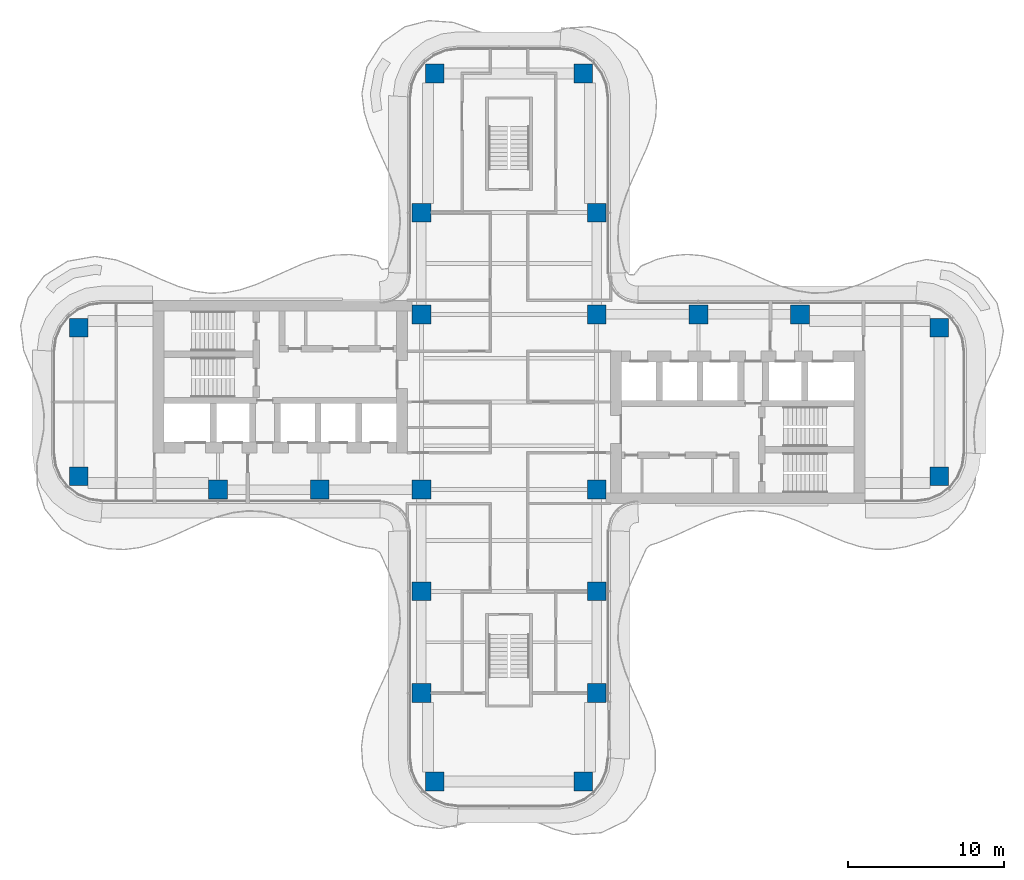
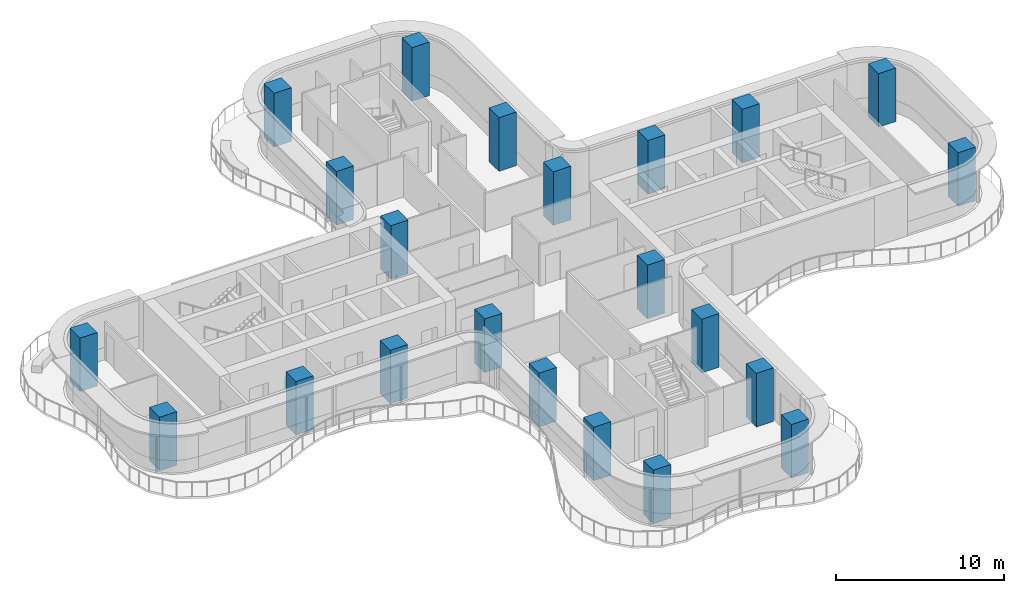
# One storey, part 1 of 18: 22 columns.
"""IFC4 building model written with IfcOpenShell, lengths in metres."""

from ifc_helpers import new_model, si_unit, direction, frame, origin, origin_2d, place, context, subcontext, project, spatial, rectangle, extrude, source, transform, mapped, material, material_profile, profile_set, type_object, element, save


model = new_model("IFC4")

# Units and contexts
model_context = context("Model", 3, precision=1e-05, world=origin(), true_north=direction((0.0, 1.0)))
body_context = subcontext(model_context, "Body", "Model", "MODEL_VIEW")
ifc_project = project(units=[si_unit("LENGTHUNIT", "METRE"), si_unit("AREAUNIT", "SQUARE_METRE"), si_unit("VOLUMEUNIT", "CUBIC_METRE"), si_unit("PLANEANGLEUNIT", "RADIAN"), si_unit("MASSUNIT", "GRAM", prefix="KILO")], contexts=[model_context])

# Site, building, storey
site_placement = place(None, origin())
site = spatial("IfcSite", under=ifc_project, at=site_placement, CompositionType="ELEMENT")
building_placement = place(site_placement, origin())
building = spatial("IfcBuilding", under=site, at=building_placement, Name="Trellis Farm Tower", CompositionType="ELEMENT")
storey_placement = place(building_placement, frame((0.0, 0.0, 204.89990234375)))
storey = spatial("IfcBuildingStorey", under=building, at=storey_placement, Name="L45", CompositionType="ELEMENT", Elevation=204.89990234375)

# Columns
ifc_material = material(Name="Concrete C70/85", Category="concrete")
ifc_material_profile = material_profile(ifc_material, rectangle(XDim=1.199951171875, YDim=1.199951171875, at=origin_2d()), Name="RC column 1200x1200 C70/85")
ifc_profile_set = profile_set([ifc_material_profile], Name="Concrete C70/85")
column_type = type_object("IfcColumnType", Name="RC column 1200x1200 C70/85", PredefinedType="COLUMN", material=ifc_profile_set)
shared_shape = source(origin(), body_context, "Body", "SweptSolid", [
    extrude(rectangle(XDim=1.199951171875, YDim=1.199951171875, at=origin_2d()), origin(), (0.0, 0.0, 1.0), 3.900146484375),
])
for number, where, z_axis, x_axis, name in (
    (1, (12.10009765625, 5.60009765625, 0.0), (0.0, 0.0, 1.0), (1.0, 0.0, 0.0), "Column"),
    (2, (18.60009765625, 5.60009765625, 0.0), (0.0, 0.0, 1.0), (1.0, 0.0, 0.0), "Column"),
    (3, (27.5, 4.75, 0.0), (0.0, 0.0, 1.0), (1.0, 0.0, 0.0), "Column"),
    (4, (27.5, -4.75, 0.0), (0.0, 0.0, 1.0), (1.0, 0.0, 0.0), "Column"),
    (5, (-5.60009765625, 12.10009765625, 0.0), (0.0, 0.0, 1.0), (1.0, 0.0, 0.0), "Column"),
    (6, (-4.75, 21.0, 0.0), (0.0, 0.0, 1.0), (1.0, 0.0, 0.0), "Column"),
    (7, (5.60009765625, 12.10009765625, 0.0), (0.0, 0.0, 1.0), (1.0, 0.0, 0.0), "Column"),
    (8, (4.75, 21.0, 0.0), (0.0, 0.0, 1.0), (1.0, 0.0, 0.0), "Column"),
    (9, (5.60009765625, 5.60009765625, 0.0), (0.0, 0.0, 1.0), (1.0, 0.0, 0.0), "Column"),
    (10, (-5.60009765625, 5.60009765625, 0.0), (0.0, 0.0, 1.0), (1.0, 0.0, 0.0), "Column"),
    (11, (5.60009765625, -5.60009765625, 0.0), (0.0, 0.0, 1.0), (1.0, 0.0, 0.0), "Column"),
    (12, (-5.60009765625, -5.60009765625, 0.0), (0.0, 0.0, 1.0), (1.0, 0.0, 0.0), "Column"),
    (13, (5.60009765625, -12.10009765625, 0.0), (0.0, 0.0, 1.0), (1.0, 0.0, 0.0), "Column"),
    (14, (5.60009765625, -18.60009765625, 0.0), (0.0, 0.0, 1.0), (1.0, 0.0, 0.0), "Column"),
    (15, (4.75, -24.25, 0.0), (0.0, 0.0, 1.0), (1.0, 0.0, 0.0), "Column"),
    (16, (-5.60009765625, -12.10009765625, 0.0), (0.0, 0.0, 1.0), (1.0, 0.0, 0.0), "Column"),
    (17, (-5.60009765625, -18.60009765625, 0.0), (0.0, 0.0, 1.0), (1.0, 0.0, 0.0), "Column"),
    (18, (-4.75, -24.25, 0.0), (0.0, 0.0, 1.0), (1.0, 0.0, 0.0), "Column"),
    (19, (-12.10009765625, -5.60009765625, 0.0), (0.0, 0.0, 1.0), (1.0, 0.0, 0.0), "Column"),
    (20, (-18.60009765625, -5.60009765625, 0.0), (0.0, 0.0, 1.0), (1.0, 0.0, 0.0), "Column"),
    (21, (-27.5, -4.75, 0.0), (0.0, 0.0, 1.0), (1.0, 0.0, 0.0), "Column"),
    (22, (-27.5, 4.75, 0.0), (0.0, 0.0, 1.0), (1.0, 0.0, 0.0), "Column"),
):
    element("IfcColumn", number, at=place(storey_placement, frame(where, z_axis=z_axis, x_axis=x_axis)), inside=storey, type_object=column_type, Name=name, PredefinedType="COLUMN", context=body_context, shape_type="MappedRepresentation", body=[
        mapped(shared_shape, transform((0.0, 0.0, 0.0))),
    ])

save(model, "model.ifc")
